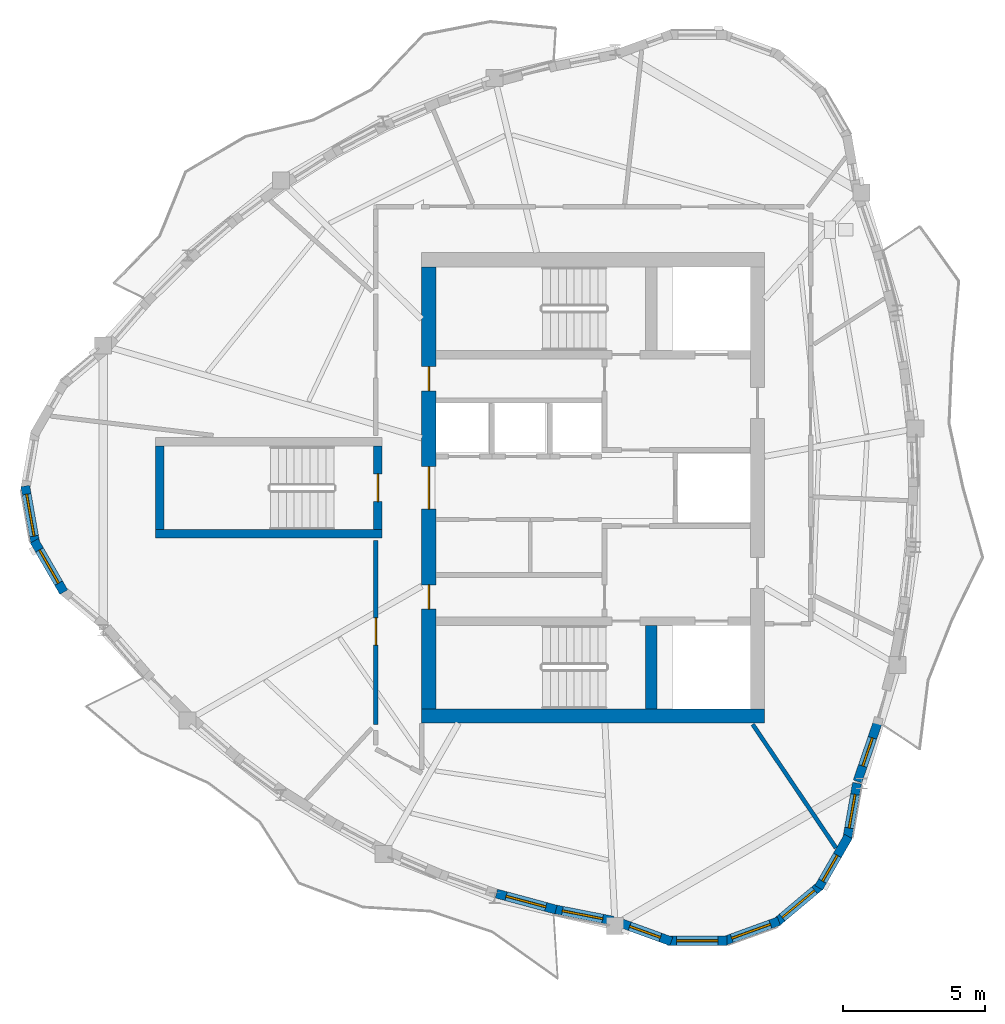
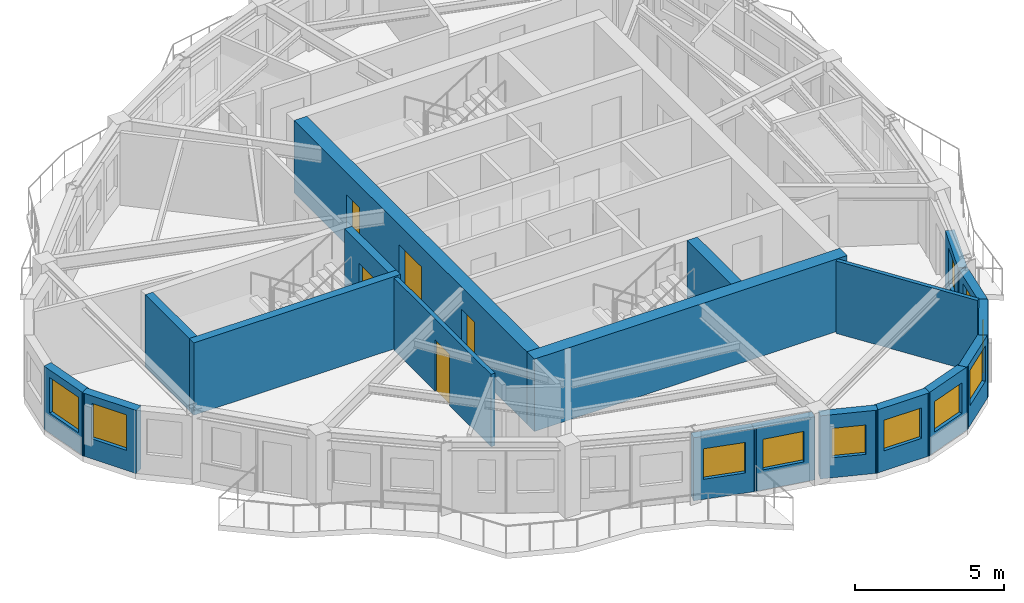
# One storey, part 3 of 11: 19 walls, 11 windows, 5 doors, 16 openings.
"""IFC4 building model written with IfcOpenShell, lengths in metres."""

from ifc_helpers import new_model, si_unit, direction, frame, frame_2d, origin, place, context, subcontext, project, spatial, rectangle, extrude, source, transform, mapped, material, layer, layer_set, type_object, element, fill, save


model = new_model("IFC4")

# Units and contexts
model_context = context("Model", 3, precision=1e-05, world=origin(), true_north=direction((0.0, 1.0)))
body_context = subcontext(model_context, "Body", "Model", "MODEL_VIEW")
ifc_project = project(units=[si_unit("LENGTHUNIT", "METRE"), si_unit("AREAUNIT", "SQUARE_METRE"), si_unit("VOLUMEUNIT", "CUBIC_METRE"), si_unit("PLANEANGLEUNIT", "RADIAN"), si_unit("MASSUNIT", "GRAM", prefix="KILO")], contexts=[model_context])

# Site, building, storey
site_placement = place(None, origin())
site = spatial("IfcSite", under=ifc_project, at=site_placement, CompositionType="ELEMENT")
building_placement = place(site_placement, origin())
building = spatial("IfcBuilding", under=site, at=building_placement, Name="Qafzar Sky-Pleat Residences", CompositionType="ELEMENT")
storey_placement = place(building_placement, frame((0.0, 0.0, 230.800048828125)))
storey = spatial("IfcBuildingStorey", under=building, at=storey_placement, Name="L69", CompositionType="ELEMENT", Elevation=230.800048828125)

# Wall, opening, door
ifc_material_1 = material(Name="Acoustic gypsum plasterboard partition", Category="gypsum")
ifc_layer_1 = layer(ifc_material_1, 0.159912109375)
ifc_layer_set_1 = layer_set([ifc_layer_1], Name="Acoustic gypsum plasterboard partition")
wall_type_1 = type_object("IfcWallType", Name="PART-COR-160", PredefinedType="PARTITIONING", material=ifc_layer_set_1)
wall_1_placement = place(storey_placement, frame((22.679931640625, 17.653076171875, 0.0), z_axis=(0.0, 0.0, 1.0), x_axis=(0.0, 1.0, 0.0)))
wall_1 = element("IfcWall", 1, at=wall_1_placement, inside=storey, type_object=wall_type_1, Name="L69 Partition Wall PART-L69-PW-001", PredefinedType="PARTITIONING", context=body_context, shape_type="SweptSolid", body=[
    extrude(rectangle(XDim=6.496826171875, YDim=0.159912109375, at=frame_2d((3.24853515625, 0.0))), origin(), (0.0, 0.0, 1.0), 2.9599609375),
])
opening_1_placement = place(wall_1_placement, frame((2.79638671875, 0.0, 0.0)))
opening_1 = element("IfcOpeningElement", 2, at=opening_1_placement, cuts=wall_1, Name="Opening ID-06", PredefinedType="OPENING", context=body_context, shape_type="SweptSolid", body=[
    extrude(rectangle(XDim=0.9599609375, YDim=2.10009765625, at=frame_2d((0.47998046875, 1.050048828125))), frame((0.0, 0.08984375, 0.0), z_axis=(0.0, -1.0, 0.0), x_axis=(1.0, 0.0, 0.0)), (0.0, 0.0, 1.0), 0.179931640625),
])
ifc_material_2 = material(Name="Timber-faced fire door", Category="wood")
door_type_1 = type_object("IfcDoorType", Name="DR-STD-960", OperationType="NOTDEFINED", PredefinedType="DOOR", material=ifc_material_2)
shared_shape_1 = source(origin(), body_context, "Body", "SweptSolid", [
    extrude(rectangle(XDim=0.9599609375, YDim=2.10009765625, at=frame_2d((0.47998046875, 1.050048828125))), frame((0.0, 0.02490234375, 0.0), z_axis=(0.0, -1.0, 0.0), x_axis=(1.0, 0.0, 0.0)), (0.0, 0.0, 1.0), 0.050048828125),
])
door_1_placement = place(opening_1_placement, origin())
door_1 = element("IfcDoor", 3, at=door_1_placement, inside=storey, type_object=door_type_1, Name="L69 Faculty Research Office Door", OperationType="SINGLE_SWING_LEFT", OverallHeight=2.10009765625, OverallWidth=0.9599609375, PredefinedType="DOOR", context=body_context, shape_type="MappedRepresentation", body=[
    mapped(shared_shape_1, transform((0.0, 0.0, 0.0), x_axis=(1.0, 0.0, 0.0), y_axis=(0.0, 1.0, 0.0), z_axis=(0.0, 0.0, 1.0), scale=1.0)),
])
fill(opening_1, door_1)

# Wall
ifc_layer_2 = layer(ifc_material_1, 0.14501953125)
ifc_layer_set_2 = layer_set([ifc_layer_2], Name="Acoustic gypsum plasterboard partition")
wall_type_2 = type_object("IfcWallType", Name="PART-UNIT-145", PredefinedType="PARTITIONING", material=ifc_layer_set_2)
wall_2_placement = place(storey_placement, frame((35.978759765625, 17.65283203125, 0.0), z_axis=(0.0, 0.0, 1.0), x_axis=(0.559125350393, -0.829083133677, 0.0)))
element("IfcWall", 4, at=wall_2_placement, inside=storey, type_object=wall_type_2, Name="L69 Partition Wall PART-L69-PW-013", PredefinedType="PARTITIONING", context=body_context, shape_type="SweptSolid", body=[
    extrude(rectangle(XDim=5.26171875, YDim=0.14501953125, at=frame_2d((2.630859375, 0.0))), origin(), (0.0, 0.0, 1.0), 2.9599609375),
])

# Wall, opening, window
ifc_material_3 = material(Name="Precast concrete C40/50 with honed Riyadh limestone", Category="concrete")
ifc_layer_3 = layer(ifc_material_3, 0.320068359375)
ifc_layer_set_3 = layer_set([ifc_layer_3], Name="Precast concrete C40/50 with honed Riyadh limestone")
wall_type_3 = type_object("IfcWallType", Name="WALL-EXT-320", PredefinedType="SOLIDWALL", material=ifc_layer_set_3)
wall_3_placement = place(storey_placement, frame((10.305908203125, 26.065185546875, 0.0), z_axis=(0.0, 0.0, 1.0), x_axis=(0.173672066494, -0.984803540469, 0.0)))
wall_3 = element("IfcWall", 5, at=wall_3_placement, inside=storey, type_object=wall_type_3, Name="L69 Limestone Facade Wall 4", PredefinedType="SOLIDWALL", context=body_context, shape_type="SweptSolid", body=[
    extrude(rectangle(XDim=2.09033203125, YDim=0.320068359375, at=frame_2d((1.045166015625, 0.0))), origin(), (0.0, 0.0, 1.0), 2.579833984375),
])
opening_2_placement = place(wall_3_placement, frame((0.295166015625, 0.0, 0.820068359375)))
opening_2 = element("IfcOpeningElement", 6, at=opening_2_placement, cuts=wall_3, Name="Opening WN-03", PredefinedType="OPENING", context=body_context, shape_type="SweptSolid", body=[
    extrude(rectangle(XDim=1.5, YDim=1.449951171875, at=frame_2d((0.75, 0.72509765625))), frame((0.0, 0.169921875, 0.0), z_axis=(0.0, -1.0, 0.0), x_axis=(1.0, 0.0, 0.0)), (0.0, 0.0, 1.0), 0.340087890625),
])
ifc_material_4 = material(Name="Solar-control low-E glass in bronze aluminium frame", Category="glass")
window_type_1 = type_object("IfcWindowType", Name="WIN-03", PartitioningType="DOUBLE_PANEL_VERTICAL", PredefinedType="WINDOW", material=ifc_material_4)
shared_shape_2 = source(origin(), body_context, "Body", "SweptSolid", [
    extrude(rectangle(XDim=1.5, YDim=1.449951171875, at=frame_2d((0.75, 0.72509765625))), frame((0.0, 0.030029296875, 0.0), z_axis=(0.0, -1.0, 0.0), x_axis=(1.0, 0.0, 0.0)), (0.0, 0.0, 1.0), 0.06005859375),
])
window_1_placement = place(opening_2_placement, origin())
window_1 = element("IfcWindow", 7, at=window_1_placement, inside=storey, type_object=window_type_1, Name="L69 Punched Facade Window 04", OverallHeight=1.449951171875, OverallWidth=1.5, PartitioningType="SINGLE_PANEL", PredefinedType="WINDOW", context=body_context, shape_type="MappedRepresentation", body=[
    mapped(shared_shape_2, transform((0.0, 0.0, 0.0), x_axis=(1.0, 0.0, 0.0), y_axis=(0.0, 1.0, 0.0), z_axis=(0.0, 0.0, 1.0), scale=1.0)),
])
fill(opening_2, window_1)

wall_4_placement = place(storey_placement, frame((10.62451171875, 24.129150390625, 0.0), z_axis=(0.0, 0.0, 1.0), x_axis=(0.49990781971, -0.866078617559, 0.0)))
wall_4 = element("IfcWall", 8, at=wall_4_placement, inside=storey, type_object=wall_type_3, Name="L69 Limestone Facade Wall 5", PredefinedType="SOLIDWALL", context=body_context, shape_type="SweptSolid", body=[
    extrude(rectangle(XDim=2.09033203125, YDim=0.320068359375, at=frame_2d((1.045166015625, 0.0))), origin(), (0.0, 0.0, 1.0), 2.579833984375),
])
opening_3_placement = place(wall_4_placement, frame((0.3701171875, 0.0, 0.820068359375)))
opening_3 = element("IfcOpeningElement", 9, at=opening_3_placement, cuts=wall_4, Name="Opening WN-04", PredefinedType="OPENING", context=body_context, shape_type="SweptSolid", body=[
    extrude(rectangle(XDim=1.35009765625, YDim=1.449951171875, at=frame_2d((0.675048828125, 0.72509765625))), frame((0.0, 0.169921875, 0.0), z_axis=(0.0, -1.0, 0.0), x_axis=(1.0, 0.0, 0.0)), (0.0, 0.0, 1.0), 0.340087890625),
])
window_type_2 = type_object("IfcWindowType", Name="WIN-04", PartitioningType="SINGLE_PANEL", PredefinedType="WINDOW", material=ifc_material_4)
shared_shape_3 = source(origin(), body_context, "Body", "SweptSolid", [
    extrude(rectangle(XDim=1.35009765625, YDim=1.449951171875, at=frame_2d((0.675048828125, 0.72509765625))), frame((0.0, 0.030029296875, 0.0), z_axis=(0.0, -1.0, 0.0), x_axis=(1.0, 0.0, 0.0)), (0.0, 0.0, 1.0), 0.06005859375),
])
window_2_placement = place(opening_3_placement, origin())
window_2 = element("IfcWindow", 10, at=window_2_placement, inside=storey, type_object=window_type_2, Name="L69 Punched Facade Window 05", OverallHeight=1.449951171875, OverallWidth=1.35009765625, PartitioningType="SINGLE_PANEL", PredefinedType="WINDOW", context=body_context, shape_type="MappedRepresentation", body=[
    mapped(shared_shape_3, transform((0.0, 0.0, 0.0), x_axis=(1.0, 0.0, 0.0), y_axis=(0.0, 1.0, 0.0), z_axis=(0.0, 0.0, 1.0), scale=1.0)),
])
fill(opening_3, window_2)

wall_5_placement = place(storey_placement, frame((26.935791015625, 11.682861328125, 0.0), z_axis=(0.0, 0.0, 1.0), x_axis=(0.965433598317, -0.260649126683, 0.0)))
wall_5 = element("IfcWall", 11, at=wall_5_placement, inside=storey, type_object=wall_type_3, Name="L69 Limestone Facade Wall 15", PredefinedType="SOLIDWALL", context=body_context, shape_type="SweptSolid", body=[
    extrude(rectangle(XDim=2.1767578125, YDim=0.320068359375, at=frame_2d((1.08837890625, 0.0))), origin(), (0.0, 0.0, 1.0), 2.579833984375),
])
opening_4_placement = place(wall_5_placement, frame((0.353515625, 0.0, 0.820068359375)))
opening_4 = element("IfcOpeningElement", 12, at=opening_4_placement, cuts=wall_5, Name="Opening WN-15", PredefinedType="OPENING", context=body_context, shape_type="SweptSolid", body=[
    extrude(rectangle(XDim=1.449951171875, YDim=1.25, at=frame_2d((0.72509765625, 0.625))), frame((0.0, 0.169921875, 0.0), z_axis=(0.0, -1.0, 0.0), x_axis=(1.0, 0.0, 0.0)), (0.0, 0.0, 1.0), 0.340087890625),
])
window_type_3 = type_object("IfcWindowType", Name="WIN-15", PartitioningType="SINGLE_PANEL", PredefinedType="WINDOW", material=ifc_material_4)
shared_shape_4 = source(origin(), body_context, "Body", "SweptSolid", [
    extrude(rectangle(XDim=1.449951171875, YDim=1.25, at=frame_2d((0.72509765625, 0.625))), frame((0.0, 0.030029296875, 0.0), z_axis=(0.0, -1.0, 0.0), x_axis=(1.0, 0.0, 0.0)), (0.0, 0.0, 1.0), 0.06005859375),
])
window_3_placement = place(opening_4_placement, origin())
window_3 = element("IfcWindow", 13, at=window_3_placement, inside=storey, type_object=window_type_3, Name="L69 Punched Facade Window 15", OverallHeight=1.25, OverallWidth=1.449951171875, PartitioningType="SINGLE_PANEL", PredefinedType="WINDOW", context=body_context, shape_type="MappedRepresentation", body=[
    mapped(shared_shape_4, transform((0.0, 0.0, 0.0), x_axis=(1.0, 0.0, 0.0), y_axis=(0.0, 1.0, 0.0), z_axis=(0.0, 0.0, 1.0), scale=1.0)),
])
fill(opening_4, window_3)

wall_6_placement = place(storey_placement, frame((28.95263671875, 11.13525390625, 0.0), z_axis=(0.0, 0.0, 1.0), x_axis=(0.981238094161, -0.192799902921, 0.0)))
wall_6 = element("IfcWall", 14, at=wall_6_placement, inside=storey, type_object=wall_type_3, Name="L69 Limestone Facade Wall 16", PredefinedType="SOLIDWALL", context=body_context, shape_type="SweptSolid", body=[
    extrude(rectangle(XDim=2.152587890625, YDim=0.320068359375, at=frame_2d((1.076171875, 0.0))), origin(), (0.0, 0.0, 1.0), 2.579833984375),
])
opening_5_placement = place(wall_6_placement, frame((0.31640625, 0.0, 0.820068359375)))
opening_5 = element("IfcOpeningElement", 15, at=opening_5_placement, cuts=wall_6, Name="Opening WN-15", PredefinedType="OPENING", context=body_context, shape_type="SweptSolid", body=[
    extrude(rectangle(XDim=1.449951171875, YDim=1.25, at=frame_2d((0.72509765625, 0.625))), frame((0.0, 0.169921875, 0.0), z_axis=(0.0, -1.0, 0.0), x_axis=(1.0, 0.0, 0.0)), (0.0, 0.0, 1.0), 0.340087890625),
])
window_4_placement = place(opening_5_placement, origin())
window_4 = element("IfcWindow", 16, at=window_4_placement, inside=storey, type_object=window_type_3, Name="L69 Punched Facade Window 16", OverallHeight=1.25, OverallWidth=1.449951171875, PartitioningType="SINGLE_PANEL", PredefinedType="WINDOW", context=body_context, shape_type="MappedRepresentation", body=[
    mapped(shared_shape_4, transform((0.0, 0.0, 0.0), x_axis=(1.0, 0.0, 0.0), y_axis=(0.0, 1.0, 0.0), z_axis=(0.0, 0.0, 1.0), scale=1.0)),
])
fill(opening_5, window_4)

wall_7_placement = place(storey_placement, frame((31.26171875, 10.665283203125, 0.0), z_axis=(0.0, 0.0, 1.0), x_axis=(0.939695306975, -0.342012762991, 0.0)))
wall_7 = element("IfcWall", 17, at=wall_7_placement, inside=storey, type_object=wall_type_3, Name="L69 Limestone Facade Wall 17", PredefinedType="SOLIDWALL", context=body_context, shape_type="SweptSolid", body=[
    extrude(rectangle(XDim=1.96240234375, YDim=0.320068359375, at=frame_2d((0.981201171875, 0.0))), origin(), (0.0, 0.0, 1.0), 2.579833984375),
])
opening_6_placement = place(wall_7_placement, frame((0.401123046875, 0.0, 0.820068359375)))
opening_6 = element("IfcOpeningElement", 18, at=opening_6_placement, cuts=wall_7, Name="Opening WN-16", PredefinedType="OPENING", context=body_context, shape_type="SweptSolid", body=[
    extrude(rectangle(XDim=1.14990234375, YDim=1.199951171875, at=frame_2d((0.574951171875, 0.60009765625))), frame((0.0, 0.169921875, 0.0), z_axis=(0.0, -1.0, 0.0), x_axis=(1.0, 0.0, 0.0)), (0.0, 0.0, 1.0), 0.340087890625),
])
window_type_4 = type_object("IfcWindowType", Name="WIN-16", PartitioningType="SINGLE_PANEL", PredefinedType="WINDOW", material=ifc_material_4)
shared_shape_5 = source(origin(), body_context, "Body", "SweptSolid", [
    extrude(rectangle(XDim=1.14990234375, YDim=1.199951171875, at=frame_2d((0.574951171875, 0.60009765625))), frame((0.0, 0.030029296875, 0.0), z_axis=(0.0, -1.0, 0.0), x_axis=(1.0, 0.0, 0.0)), (0.0, 0.0, 1.0), 0.06005859375),
])
window_5_placement = place(opening_6_placement, origin())
window_5 = element("IfcWindow", 19, at=window_5_placement, inside=storey, type_object=window_type_4, Name="L69 Punched Facade Window 17", OverallHeight=1.199951171875, OverallWidth=1.14990234375, PartitioningType="SINGLE_PANEL", PredefinedType="WINDOW", context=body_context, shape_type="MappedRepresentation", body=[
    mapped(shared_shape_5, transform((0.0, 0.0, 0.0), x_axis=(1.0, 0.0, 0.0), y_axis=(0.0, 1.0, 0.0), z_axis=(0.0, 0.0, 1.0), scale=1.0)),
])
fill(opening_6, window_5)

wall_8_placement = place(storey_placement, frame((32.977294921875, 10.016845703125, 0.0), z_axis=(0.0, 0.0, 1.0), x_axis=(1.0, 0.0, 0.0)))
wall_8 = element("IfcWall", 20, at=wall_8_placement, inside=storey, type_object=wall_type_3, Name="L69 Limestone Facade Wall 18", PredefinedType="SOLIDWALL", context=body_context, shape_type="SweptSolid", body=[
    extrude(rectangle(XDim=2.09033203125, YDim=0.320068359375, at=frame_2d((1.045166015625, 0.0))), origin(), (0.0, 0.0, 1.0), 2.579833984375),
])
opening_7_placement = place(wall_8_placement, frame((0.3203125, 0.0, 0.820068359375)))
opening_7 = element("IfcOpeningElement", 21, at=opening_7_placement, cuts=wall_8, Name="Opening WN-15", PredefinedType="OPENING", context=body_context, shape_type="SweptSolid", body=[
    extrude(rectangle(XDim=1.449951171875, YDim=1.25, at=frame_2d((0.72509765625, 0.625))), frame((0.0, 0.169921875, 0.0), z_axis=(0.0, -1.0, 0.0), x_axis=(1.0, 0.0, 0.0)), (0.0, 0.0, 1.0), 0.340087890625),
])
window_6_placement = place(opening_7_placement, origin())
window_6 = element("IfcWindow", 22, at=window_6_placement, inside=storey, type_object=window_type_3, Name="L69 Punched Facade Window 18", OverallHeight=1.25, OverallWidth=1.449951171875, PartitioningType="SINGLE_PANEL", PredefinedType="WINDOW", context=body_context, shape_type="MappedRepresentation", body=[
    mapped(shared_shape_4, transform((0.0, 0.0, 0.0), x_axis=(1.0, 0.0, 0.0), y_axis=(0.0, 1.0, 0.0), z_axis=(0.0, 0.0, 1.0), scale=1.0)),
])
fill(opening_7, window_6)

wall_9_placement = place(storey_placement, frame((34.939208984375, 9.994140625, 0.0), z_axis=(0.0, 0.0, 1.0), x_axis=(0.939711556618, 0.341968113072, 0.0)))
wall_9 = element("IfcWall", 23, at=wall_9_placement, inside=storey, type_object=wall_type_3, Name="L69 Limestone Facade Wall 19", PredefinedType="SOLIDWALL", context=body_context, shape_type="SweptSolid", body=[
    extrude(rectangle(XDim=2.09033203125, YDim=0.320068359375, at=frame_2d((1.045166015625, 0.0))), origin(), (0.0, 0.0, 1.0), 2.579833984375),
])
opening_8_placement = place(wall_9_placement, frame((0.3203125, 0.0, 0.820068359375)))
opening_8 = element("IfcOpeningElement", 24, at=opening_8_placement, cuts=wall_9, Name="Opening WN-15", PredefinedType="OPENING", context=body_context, shape_type="SweptSolid", body=[
    extrude(rectangle(XDim=1.449951171875, YDim=1.25, at=frame_2d((0.72509765625, 0.625))), frame((0.0, 0.169921875, 0.0), z_axis=(0.0, -1.0, 0.0), x_axis=(1.0, 0.0, 0.0)), (0.0, 0.0, 1.0), 0.340087890625),
])
window_7_placement = place(opening_8_placement, origin())
window_7 = element("IfcWindow", 25, at=window_7_placement, inside=storey, type_object=window_type_3, Name="L69 Punched Facade Window 19", OverallHeight=1.25, OverallWidth=1.449951171875, PartitioningType="SINGLE_PANEL", PredefinedType="WINDOW", context=body_context, shape_type="MappedRepresentation", body=[
    mapped(shared_shape_4, transform((0.0, 0.0, 0.0), x_axis=(1.0, 0.0, 0.0), y_axis=(0.0, 1.0, 0.0), z_axis=(0.0, 0.0, 1.0), scale=1.0)),
])
fill(opening_8, window_7)

wall_10_placement = place(storey_placement, frame((36.79052734375, 10.643798828125, 0.0), z_axis=(0.0, 0.0, 1.0), x_axis=(0.766024572719, 0.642811289563, 0.0)))
wall_10 = element("IfcWall", 26, at=wall_10_placement, inside=storey, type_object=wall_type_3, Name="L69 Limestone Facade Wall 20", PredefinedType="SOLIDWALL", context=body_context, shape_type="SweptSolid", body=[
    extrude(rectangle(XDim=2.09033203125, YDim=0.320068359375, at=frame_2d((1.045166015625, 0.0))), origin(), (0.0, 0.0, 1.0), 2.579833984375),
])
opening_9_placement = place(wall_10_placement, frame((0.295166015625, 0.0, 0.820068359375)))
opening_9 = element("IfcOpeningElement", 27, at=opening_9_placement, cuts=wall_10, Name="Opening WN-03", PredefinedType="OPENING", context=body_context, shape_type="SweptSolid", body=[
    extrude(rectangle(XDim=1.5, YDim=1.449951171875, at=frame_2d((0.75, 0.72509765625))), frame((0.0, 0.169921875, 0.0), z_axis=(0.0, -1.0, 0.0), x_axis=(1.0, 0.0, 0.0)), (0.0, 0.0, 1.0), 0.340087890625),
])
window_8_placement = place(opening_9_placement, origin())
window_8 = element("IfcWindow", 28, at=window_8_placement, inside=storey, type_object=window_type_1, Name="L69 Punched Facade Window 20", OverallHeight=1.449951171875, OverallWidth=1.5, PartitioningType="SINGLE_PANEL", PredefinedType="WINDOW", context=body_context, shape_type="MappedRepresentation", body=[
    mapped(shared_shape_2, transform((0.0, 0.0, 0.0), x_axis=(1.0, 0.0, 0.0), y_axis=(0.0, 1.0, 0.0), z_axis=(0.0, 0.0, 1.0), scale=1.0)),
])
fill(opening_9, window_8)

wall_11_placement = place(storey_placement, frame((38.30810546875, 11.8876953125, 0.0), z_axis=(0.0, 0.0, 1.0), x_axis=(0.49990781971, 0.866078617559, 0.0)))
wall_11 = element("IfcWall", 29, at=wall_11_placement, inside=storey, type_object=wall_type_3, Name="L69 Limestone Facade Wall 21", PredefinedType="SOLIDWALL", context=body_context, shape_type="SweptSolid", body=[
    extrude(rectangle(XDim=2.09033203125, YDim=0.320068359375, at=frame_2d((1.045166015625, 0.0))), origin(), (0.0, 0.0, 1.0), 2.579833984375),
])
opening_10_placement = place(wall_11_placement, frame((0.2705078125, 0.0, 0.820068359375)))
opening_10 = element("IfcOpeningElement", 30, at=opening_10_placement, cuts=wall_11, Name="Opening WN-06", PredefinedType="OPENING", context=body_context, shape_type="SweptSolid", body=[
    extrude(rectangle(XDim=1.050048828125, YDim=1.449951171875, at=frame_2d((0.52490234375, 0.72509765625))), frame((0.0, 0.169921875, 0.0), z_axis=(0.0, -1.0, 0.0), x_axis=(1.0, 0.0, 0.0)), (0.0, 0.0, 1.0), 0.340087890625),
])
window_type_5 = type_object("IfcWindowType", Name="WIN-06", PartitioningType="SINGLE_PANEL", PredefinedType="WINDOW", material=ifc_material_4)
shared_shape_6 = source(origin(), body_context, "Body", "SweptSolid", [
    extrude(rectangle(XDim=1.050048828125, YDim=1.449951171875, at=frame_2d((0.52490234375, 0.72509765625))), frame((0.0, 0.030029296875, 0.0), z_axis=(0.0, -1.0, 0.0), x_axis=(1.0, 0.0, 0.0)), (0.0, 0.0, 1.0), 0.06005859375),
])
window_9_placement = place(opening_10_placement, origin())
window_9 = element("IfcWindow", 31, at=window_9_placement, inside=storey, type_object=window_type_5, Name="L69 Punched Facade Window 21", OverallHeight=1.449951171875, OverallWidth=1.050048828125, PartitioningType="SINGLE_PANEL", PredefinedType="WINDOW", context=body_context, shape_type="MappedRepresentation", body=[
    mapped(shared_shape_6, transform((0.0, 0.0, 0.0), x_axis=(1.0, 0.0, 0.0), y_axis=(0.0, 1.0, 0.0), z_axis=(0.0, 0.0, 1.0), scale=1.0)),
])
fill(opening_10, window_9)

wall_12_placement = place(storey_placement, frame((39.30859375, 13.575439453125, 0.0), z_axis=(0.0, 0.0, 1.0), x_axis=(0.17370309897, 0.984798067326, 0.0)))
wall_12 = element("IfcWall", 32, at=wall_12_placement, inside=storey, type_object=wall_type_3, Name="L69 Limestone Facade Wall 22", PredefinedType="SOLIDWALL", context=body_context, shape_type="SweptSolid", body=[
    extrude(rectangle(XDim=2.032470703125, YDim=0.320068359375, at=frame_2d((1.01611328125, 0.0))), origin(), (0.0, 0.0, 1.0), 2.579833984375),
])
opening_11_placement = place(wall_12_placement, frame((0.42626953125, 0.0, 0.820068359375)))
opening_11 = element("IfcOpeningElement", 33, at=opening_11_placement, cuts=wall_12, Name="Opening WN-05", PredefinedType="OPENING", context=body_context, shape_type="SweptSolid", body=[
    extrude(rectangle(XDim=1.199951171875, YDim=1.449951171875, at=frame_2d((0.60009765625, 0.72509765625))), frame((0.0, 0.169921875, 0.0), z_axis=(0.0, -1.0, 0.0), x_axis=(1.0, 0.0, 0.0)), (0.0, 0.0, 1.0), 0.340087890625),
])
window_type_6 = type_object("IfcWindowType", Name="WIN-05", PartitioningType="SINGLE_PANEL", PredefinedType="WINDOW", material=ifc_material_4)
shared_shape_7 = source(origin(), body_context, "Body", "SweptSolid", [
    extrude(rectangle(XDim=1.199951171875, YDim=1.449951171875, at=frame_2d((0.60009765625, 0.72509765625))), frame((0.0, 0.030029296875, 0.0), z_axis=(0.0, -1.0, 0.0), x_axis=(1.0, 0.0, 0.0)), (0.0, 0.0, 1.0), 0.06005859375),
])
window_10_placement = place(opening_11_placement, origin())
window_10 = element("IfcWindow", 34, at=window_10_placement, inside=storey, type_object=window_type_6, Name="L69 Punched Facade Window 22", OverallHeight=1.449951171875, OverallWidth=1.199951171875, PartitioningType="SINGLE_PANEL", PredefinedType="WINDOW", context=body_context, shape_type="MappedRepresentation", body=[
    mapped(shared_shape_7, transform((0.0, 0.0, 0.0), x_axis=(1.0, 0.0, 0.0), y_axis=(0.0, 1.0, 0.0), z_axis=(0.0, 0.0, 1.0), scale=1.0)),
])
fill(opening_11, window_10)

wall_13_placement = place(storey_placement, frame((39.677490234375, 15.639404296875, 0.0), z_axis=(0.0, 0.0, 1.0), x_axis=(0.323664392341, 0.946171951143, 0.0)))
wall_13 = element("IfcWall", 35, at=wall_13_placement, inside=storey, type_object=wall_type_3, Name="L69 Limestone Facade Wall 23", PredefinedType="SOLIDWALL", context=body_context, shape_type="SweptSolid", body=[
    extrude(rectangle(XDim=2.222900390625, YDim=0.320068359375, at=frame_2d((1.111328125, 0.0))), origin(), (0.0, 0.0, 1.0), 2.579833984375),
])
opening_12_placement = place(wall_13_placement, frame((0.576416015625, 0.0, 0.820068359375)))
opening_12 = element("IfcOpeningElement", 36, at=opening_12_placement, cuts=wall_13, Name="Opening WN-06", PredefinedType="OPENING", context=body_context, shape_type="SweptSolid", body=[
    extrude(rectangle(XDim=1.050048828125, YDim=1.449951171875, at=frame_2d((0.52490234375, 0.72509765625))), frame((0.0, 0.169921875, 0.0), z_axis=(0.0, -1.0, 0.0), x_axis=(1.0, 0.0, 0.0)), (0.0, 0.0, 1.0), 0.340087890625),
])
window_11_placement = place(opening_12_placement, origin())
window_11 = element("IfcWindow", 37, at=window_11_placement, inside=storey, type_object=window_type_5, Name="L69 Punched Facade Window 23", OverallHeight=1.449951171875, OverallWidth=1.050048828125, PartitioningType="SINGLE_PANEL", PredefinedType="WINDOW", context=body_context, shape_type="MappedRepresentation", body=[
    mapped(shared_shape_6, transform((0.0, 0.0, 0.0), x_axis=(1.0, 0.0, 0.0), y_axis=(0.0, 1.0, 0.0), z_axis=(0.0, 0.0, 1.0), scale=1.0)),
])
fill(opening_12, window_11)

# Walls
ifc_material_5 = material(Name="Concrete C60/75", Category="concrete")
ifc_layer_4 = layer(ifc_material_5, 0.300048828125)
ifc_layer_set_4 = layer_set([ifc_layer_4], Name="Concrete C60/75")
wall_type_4 = type_object("IfcWallType", Name="WALL-SHEAR-300", PredefinedType="SHEAR", material=ifc_layer_set_4)
wall_14_placement = place(storey_placement, frame((14.89990234375, 24.375, 0.0), z_axis=(0.0, 0.0, 1.0), x_axis=(1.0, 0.0, 0.0)))
element("IfcWall", 38, at=wall_14_placement, inside=storey, type_object=wall_type_4, Name="L69 ST3 wall S", PredefinedType="SHEAR", context=body_context, shape_type="SweptSolid", body=[
    extrude(rectangle(XDim=8.0, YDim=0.300048828125, at=frame_2d((4.0, 0.0))), origin(), (0.0, 0.0, 1.0), 2.9599609375),
])
wall_15_placement = place(storey_placement, frame((15.050048828125, 27.47509765625, 0.0), z_axis=(0.0, 0.0, 1.0), x_axis=(0.0, -1.0, 0.0)))
element("IfcWall", 39, at=wall_15_placement, inside=storey, type_object=wall_type_4, Name="L69 ST3 wall W", PredefinedType="SHEAR", context=body_context, shape_type="SweptSolid", body=[
    extrude(rectangle(XDim=2.9501953125, YDim=0.300048828125, at=frame_2d((1.47509765625, 0.0))), origin(), (0.0, 0.0, 1.0), 2.9599609375),
])

# Wall, opening, door
wall_16_placement = place(storey_placement, frame((22.75, 24.52490234375, 0.0), z_axis=(0.0, 0.0, 1.0), x_axis=(0.0, 1.0, 0.0)))
wall_16 = element("IfcWall", 40, at=wall_16_placement, inside=storey, type_object=wall_type_4, Name="L69 ST3 wall E", PredefinedType="SHEAR", context=body_context, shape_type="SweptSolid", body=[
    extrude(rectangle(XDim=2.9501953125, YDim=0.300048828125, at=frame_2d((1.47509765625, 0.0))), origin(), (0.0, 0.0, 1.0), 2.9599609375),
])
opening_13_placement = place(wall_16_placement, frame((0.985107421875, 0.0, 0.0)))
opening_13 = element("IfcOpeningElement", 41, at=opening_13_placement, cuts=wall_16, Name="Opening ID-01", PredefinedType="OPENING", context=body_context, shape_type="SweptSolid", body=[
    extrude(rectangle(XDim=0.97998046875, YDim=2.14990234375, at=frame_2d((0.489990234375, 1.074951171875))), frame((0.0, 0.16015625, 0.0), z_axis=(0.0, -1.0, 0.0), x_axis=(1.0, 0.0, 0.0)), (0.0, 0.0, 1.0), 0.320068359375),
])
door_type_2 = type_object("IfcDoorType", Name="DR-STAIR-980", OperationType="NOTDEFINED", PredefinedType="DOOR", material=ifc_material_2)
shared_shape_8 = source(origin(), body_context, "Body", "SweptSolid", [
    extrude(rectangle(XDim=0.97998046875, YDim=2.14990234375, at=frame_2d((0.489990234375, 1.074951171875))), frame((0.0, 0.02490234375, 0.0), z_axis=(0.0, -1.0, 0.0), x_axis=(1.0, 0.0, 0.0)), (0.0, 0.0, 1.0), 0.050048828125),
])
door_2_placement = place(opening_13_placement, origin())
door_2 = element("IfcDoor", 42, at=door_2_placement, inside=storey, type_object=door_type_2, Name="L69 Stair ST3 Fire Door", OperationType="SINGLE_SWING_RIGHT", OverallHeight=2.14990234375, OverallWidth=0.97998046875, PredefinedType="DOOR", context=body_context, shape_type="MappedRepresentation", body=[
    mapped(shared_shape_8, transform((0.0, 0.0, 0.0), x_axis=(1.0, 0.0, 0.0), y_axis=(0.0, 1.0, 0.0), z_axis=(0.0, 0.0, 1.0), scale=1.0)),
])
fill(opening_13, door_2)

# Walls
ifc_layer_5 = layer(ifc_material_5, 0.39990234375)
ifc_layer_set_5 = layer_set([ifc_layer_5], Name="Concrete C60/75")
wall_type_5 = type_object("IfcWallType", Name="WALL-SHEAR-400", PredefinedType="SHEAR", material=ifc_layer_set_5)
wall_17_placement = place(storey_placement, frame((32.39990234375, 18.199951171875, 0.0), z_axis=(0.0, 0.0, 1.0), x_axis=(0.0, 1.0, 0.0)))
element("IfcWall", 43, at=wall_17_placement, inside=storey, type_object=wall_type_5, Name="L69 Stair ST1 East Dividing Wall", PredefinedType="SHEAR", context=body_context, shape_type="SweptSolid", body=[
    extrude(rectangle(XDim=2.949951171875, YDim=0.39990234375, at=frame_2d((1.47509765625, 0.0))), origin(), (0.0, 0.0, 1.0), 2.9599609375),
])
ifc_layer_6 = layer(ifc_material_5, 0.5)
ifc_layer_set_6 = layer_set([ifc_layer_6], Name="Concrete C60/75")
wall_type_6 = type_object("IfcWallType", Name="WALL-SHEAR-500", PredefinedType="SHEAR", material=ifc_layer_set_6)
wall_18_placement = place(storey_placement, frame((24.300048828125, 17.949951171875, 0.0), z_axis=(0.0, 0.0, 1.0), x_axis=(1.0, 0.0, 0.0)))
element("IfcWall", 44, at=wall_18_placement, inside=storey, type_object=wall_type_6, Name="L69 CORE wall S", PredefinedType="SHEAR", context=body_context, shape_type="SweptSolid", body=[
    extrude(rectangle(XDim=12.099853515625, YDim=0.5, at=frame_2d((6.0498046875, 0.0))), origin(), (0.0, 0.0, 1.0), 2.9599609375),
])

# Wall, openings, doors
wall_19_placement = place(storey_placement, frame((24.550048828125, 33.800048828125, 0.0), z_axis=(0.0, 0.0, 1.0), x_axis=(0.0, -1.0, 0.0)))
wall_19 = element("IfcWall", 45, at=wall_19_placement, inside=storey, type_object=wall_type_6, Name="L69 CORE wall W", PredefinedType="SHEAR", context=body_context, shape_type="SweptSolid", body=[
    extrude(rectangle(XDim=15.60009765625, YDim=0.5, at=frame_2d((7.800048828125, 0.0))), origin(), (0.0, 0.0, 1.0), 2.9599609375),
])
opening_14_placement = place(wall_19_placement, frame((7.050048828125, 0.0, 0.0)))
opening_14 = element("IfcOpeningElement", 46, at=opening_14_placement, cuts=wall_19, Name="Opening ID-03", PredefinedType="OPENING", context=body_context, shape_type="SweptSolid", body=[
    extrude(rectangle(XDim=1.5, YDim=2.14990234375, at=frame_2d((0.75, 1.074951171875))), frame((0.0, 0.260009765625, 0.0), z_axis=(0.0, -1.0, 0.0), x_axis=(1.0, 0.0, 0.0)), (0.0, 0.0, 1.0), 0.52001953125),
])
opening_15_placement = place(wall_19_placement, frame((3.52001953125, 0.0, 0.0)))
opening_15 = element("IfcOpeningElement", 47, at=opening_15_placement, cuts=wall_19, Name="Opening ID-09", PredefinedType="OPENING", context=body_context, shape_type="SweptSolid", body=[
    extrude(rectangle(XDim=0.860107421875, YDim=2.050048828125, at=frame_2d((0.43017578125, 1.02490234375))), frame((0.0, 0.260009765625, 0.0), z_axis=(0.0, -1.0, 0.0), x_axis=(1.0, 0.0, 0.0)), (0.0, 0.0, 1.0), 0.52001953125),
])
opening_16_placement = place(wall_19_placement, frame((11.219970703125, 0.0, 0.0)))
opening_16 = element("IfcOpeningElement", 48, at=opening_16_placement, cuts=wall_19, Name="Opening ID-09", PredefinedType="OPENING", context=body_context, shape_type="SweptSolid", body=[
    extrude(rectangle(XDim=0.860107421875, YDim=2.050048828125, at=frame_2d((0.43017578125, 1.02490234375))), frame((0.0, 0.260009765625, 0.0), z_axis=(0.0, -1.0, 0.0), x_axis=(1.0, 0.0, 0.0)), (0.0, 0.0, 1.0), 0.52001953125),
])
door_type_3 = type_object("IfcDoorType", Name="DR-COR-1500", OperationType="DOUBLE_DOOR_SINGLE_SWING", PredefinedType="DOOR", material=ifc_material_2)
shared_shape_9 = source(origin(), body_context, "Body", "SweptSolid", [
    extrude(rectangle(XDim=1.5, YDim=2.14990234375, at=frame_2d((0.75, 1.074951171875))), frame((0.0, 0.02490234375, 0.0), z_axis=(0.0, -1.0, 0.0), x_axis=(1.0, 0.0, 0.0)), (0.0, 0.0, 1.0), 0.050048828125),
])
door_3_placement = place(opening_14_placement, origin())
door_3 = element("IfcDoor", 49, at=door_3_placement, inside=storey, type_object=door_type_3, Name="L69 Lift Lobby West Double Door", OperationType="DOUBLE_DOOR_SINGLE_SWING", OverallHeight=2.14990234375, OverallWidth=1.5, PredefinedType="DOOR", context=body_context, shape_type="MappedRepresentation", body=[
    mapped(shared_shape_9, transform((0.0, 0.0, 0.0), x_axis=(1.0, 0.0, 0.0), y_axis=(0.0, 1.0, 0.0), z_axis=(0.0, 0.0, 1.0), scale=1.0)),
])
fill(opening_14, door_3)
door_type_4 = type_object("IfcDoorType", Name="DR-SVC-860", OperationType="NOTDEFINED", PredefinedType="DOOR", material=ifc_material_2)
shared_shape_10 = source(origin(), body_context, "Body", "SweptSolid", [
    extrude(rectangle(XDim=0.860107421875, YDim=2.050048828125, at=frame_2d((0.43017578125, 1.02490234375))), frame((0.0, 0.02490234375, 0.0), z_axis=(0.0, -1.0, 0.0), x_axis=(1.0, 0.0, 0.0)), (0.0, 0.0, 1.0), 0.050048828125),
])
door_4_placement = place(opening_15_placement, origin())
door_4 = element("IfcDoor", 50, at=door_4_placement, inside=storey, type_object=door_type_4, Name="L69 Core North-West Service Door", OperationType="SINGLE_SWING_LEFT", OverallHeight=2.050048828125, OverallWidth=0.860107421875, PredefinedType="DOOR", context=body_context, shape_type="MappedRepresentation", body=[
    mapped(shared_shape_10, transform((0.0, 0.0, 0.0), x_axis=(1.0, 0.0, 0.0), y_axis=(0.0, 1.0, 0.0), z_axis=(0.0, 0.0, 1.0), scale=1.0)),
])
fill(opening_15, door_4)
door_5_placement = place(opening_16_placement, origin())
door_5 = element("IfcDoor", 51, at=door_5_placement, inside=storey, type_object=door_type_4, Name="L69 Core South-West Service Door", OperationType="SINGLE_SWING_RIGHT", OverallHeight=2.050048828125, OverallWidth=0.860107421875, PredefinedType="DOOR", context=body_context, shape_type="MappedRepresentation", body=[
    mapped(shared_shape_10, transform((0.0, 0.0, 0.0), x_axis=(1.0, 0.0, 0.0), y_axis=(0.0, 1.0, 0.0), z_axis=(0.0, 0.0, 1.0), scale=1.0)),
])
fill(opening_16, door_5)

save(model, "model.ifc")
